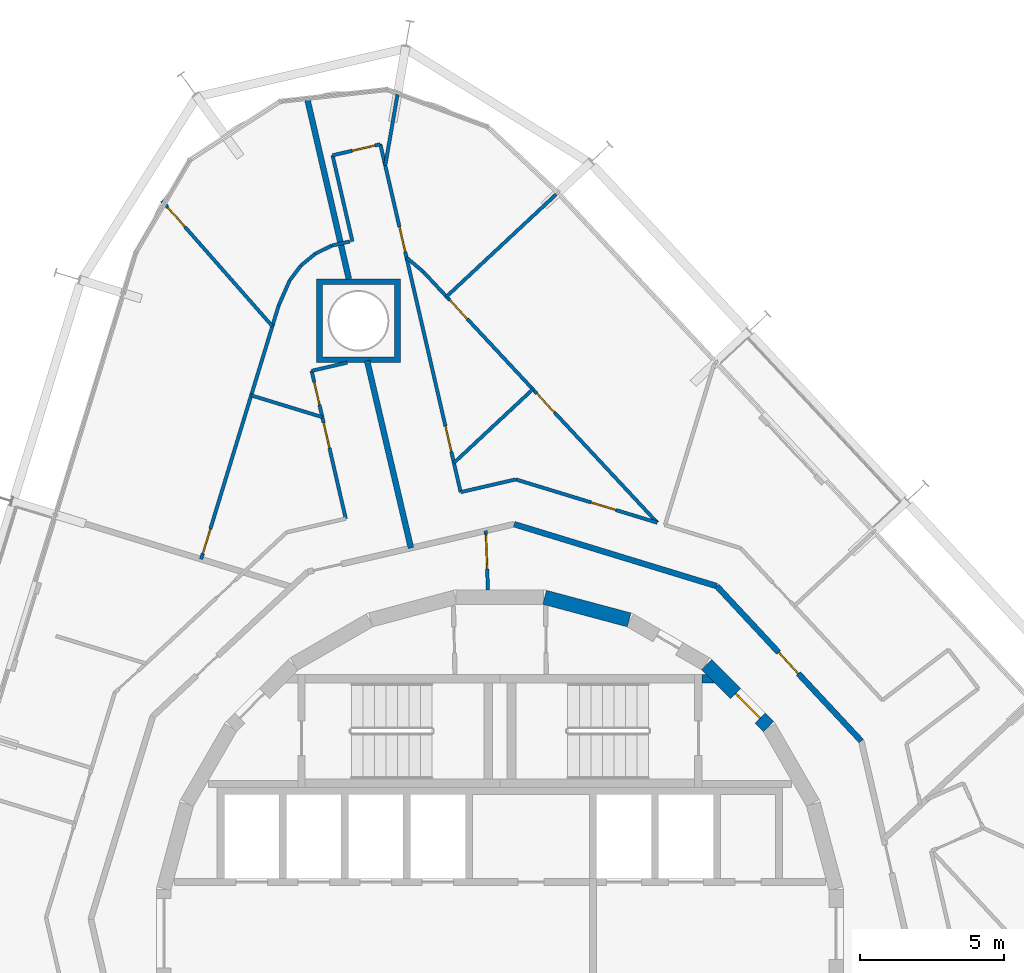
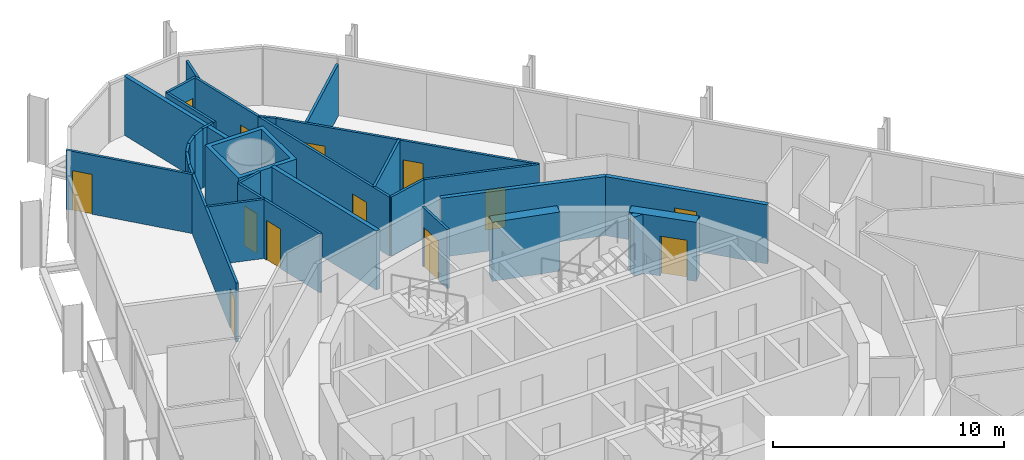
# One storey, part 16 of 18: 30 walls, 13 doors, 13 openings.
"""IFC4 building model written with IfcOpenShell, lengths in metres."""

from ifc_helpers import new_model, si_unit, direction, frame, frame_2d, origin, place, context, subcontext, project, spatial, polyline, rectangle, outline, extrude, material, layer, layer_set, type_object, element, fill, save


model = new_model("IFC4")

# Units and contexts
model_context = context("Model", 3, precision=1e-05, world=origin(), true_north=direction((0.0, 1.0)))
body_context = subcontext(model_context, "Body", "Model", "MODEL_VIEW")
ifc_project = project(units=[si_unit("LENGTHUNIT", "METRE"), si_unit("AREAUNIT", "SQUARE_METRE"), si_unit("VOLUMEUNIT", "CUBIC_METRE"), si_unit("PLANEANGLEUNIT", "RADIAN"), si_unit("MASSUNIT", "GRAM", prefix="KILO")], contexts=[model_context])

# Site, building, storey
site_placement = place(None, origin())
site = spatial("IfcSite", under=ifc_project, at=site_placement, CompositionType="ELEMENT")
building_placement = place(site_placement, origin())
building = spatial("IfcBuilding", under=site, at=building_placement, Name="Spindle Arch Residences", CompositionType="ELEMENT")
storey_placement = place(building_placement, frame((0.0, 0.0, 130.89990234375)))
storey = spatial("IfcBuildingStorey", under=building, at=storey_placement, Name="L32", CompositionType="ELEMENT", Elevation=130.89990234375)

# Wall, opening, door
ifc_material_1 = material(Name="Concrete C50/60", Category="concrete")
ifc_layer_1 = layer(ifc_material_1, 0.5)
ifc_layer_set_1 = layer_set([ifc_layer_1], Name="Core outline wall 500")
wall_type_1 = type_object("IfcWallType", Name="Core outline wall 500", PredefinedType="SHEAR", material=ifc_layer_set_1)
wall_1_placement = place(storey_placement, frame((9.30810546875, 7.163818359375, 0.0), z_axis=(0.0, 0.0, 1.0), x_axis=(-0.707106781187, 0.707106781187, 0.0)))
wall_1 = element("IfcWall", 1, at=wall_1_placement, inside=storey, type_object=wall_type_1, Name="Core outline wall 9", PredefinedType="SHEAR", context=body_context, shape_type="SweptSolid", body=[
    extrude(rectangle(XDim=3.032470703125, YDim=0.5, at=frame_2d((1.51611328125, 0.0))), origin(), (0.0, 0.0, 1.0), 3.1201171875),
])
opening_1_placement = place(wall_1_placement, frame((0.416259765625, 0.0, 0.0)))
opening_1 = element("IfcOpeningElement", 2, at=opening_1_placement, cuts=wall_1, Name="Opening R3B1-AD01", PredefinedType="OPENING", context=body_context, shape_type="SweptSolid", body=[
    extrude(rectangle(XDim=1.199951171875, YDim=2.10009765625, at=frame_2d((0.60009765625, 1.050048828125))), frame((0.0, 0.260009765625, 0.0), z_axis=(0.0, -1.0, 0.0), x_axis=(1.0, 0.0, 0.0)), (0.0, 0.0, 1.0), 0.52001953125),
])
ifc_material_2 = material(Name="Steel, fire-resisting door", Category="steel")
door_type_1 = type_object("IfcDoorType", Name="Stair airlock door 1200x2100", OperationType="SINGLE_SWING_LEFT", PredefinedType="DOOR", material=ifc_material_2)
door_1_placement = place(opening_1_placement, origin())
door_1 = element("IfcDoor", 3, at=door_1_placement, inside=storey, type_object=door_type_1, Name="Stair airlock door R3B1-AD01", OperationType="SINGLE_SWING_RIGHT", OverallHeight=2.10009765625, OverallWidth=1.199951171875, PredefinedType="DOOR", context=body_context, shape_type="SweptSolid", body=[
    extrude(rectangle(XDim=1.199951171875, YDim=2.10009765625, at=frame_2d((0.60009765625, 1.050048828125))), frame((0.0, 0.02490234375, 0.0), z_axis=(0.0, -1.0, 0.0), x_axis=(1.0, 0.0, 0.0)), (0.0, 0.0, 1.0), 0.050048828125),
])
fill(opening_1, door_1)

# Wall
wall_2_placement = place(storey_placement, frame((4.479248046875, 10.858154296875, 0.0), z_axis=(0.0, 0.0, 1.0), x_axis=(-0.965948410781, 0.258734743916, 0.0)))
element("IfcWall", 4, at=wall_2_placement, inside=storey, type_object=wall_type_1, Name="Core outline wall 11", PredefinedType="SHEAR", context=body_context, shape_type="SweptSolid", body=[
    extrude(rectangle(XDim=3.03271484375, YDim=0.5, at=frame_2d((1.516357421875, 0.0))), origin(), (0.0, 0.0, 1.0), 3.1201171875),
])

# Wall, opening, door
ifc_material_3 = material(Name="Plasterboard on steel studs", Category="steel")
ifc_layer_2 = layer(ifc_material_3, 0.1201171875)
ifc_layer_set_2 = layer_set([ifc_layer_2], Name="Corridor division wall 120")
wall_type_2 = type_object("IfcWallType", Name="Corridor division wall 120", PredefinedType="PARTITIONING", material=ifc_layer_set_2)
wall_3_placement = place(storey_placement, frame((-0.487060546875, 13.947998046875, 0.0), z_axis=(0.0, 0.0, 1.0), x_axis=(0.034859752231, -0.999392214135, 0.0)))
wall_3 = element("IfcWall", 5, at=wall_3_placement, inside=storey, type_object=wall_type_2, Name="Corridor division wall R3B1-W001", PredefinedType="PARTITIONING", context=body_context, shape_type="SweptSolid", body=[
    extrude(rectangle(XDim=2.052001953125, YDim=0.1201171875, at=frame_2d((1.02587890625, 0.0))), origin(), (0.0, 0.0, 1.0), 3.1201171875),
])
opening_2_placement = place(wall_3_placement, frame((0.125, 0.0, 0.0)))
opening_2 = element("IfcOpeningElement", 6, at=opening_2_placement, cuts=wall_3, Name="Opening R3B1-CD01", PredefinedType="OPENING", context=body_context, shape_type="SweptSolid", body=[
    extrude(rectangle(XDim=1.199951171875, YDim=2.10009765625, at=frame_2d((0.60009765625, 1.050048828125))), frame((0.0, 0.070068359375, 0.0), z_axis=(0.0, -1.0, 0.0), x_axis=(1.0, 0.0, 0.0)), (0.0, 0.0, 1.0), 0.14013671875),
])
ifc_material_4 = material(Name="Steel, fire-resisting door", Category="steel")
door_type_2 = type_object("IfcDoorType", Name="Corridor division door 1200x2100", OperationType="NOTDEFINED", PredefinedType="DOOR", material=ifc_material_4)
door_2_placement = place(opening_2_placement, origin())
door_2 = element("IfcDoor", 7, at=door_2_placement, inside=storey, type_object=door_type_2, Name="Corridor division door R3B1-CD01", OperationType="DOUBLE_DOOR_SINGLE_SWING", OverallHeight=2.10009765625, OverallWidth=1.199951171875, PredefinedType="DOOR", context=body_context, shape_type="SweptSolid", body=[
    extrude(rectangle(XDim=1.199951171875, YDim=2.10009765625, at=frame_2d((0.60009765625, 1.050048828125))), frame((0.0, 0.02490234375, 0.0), z_axis=(0.0, -1.0, 0.0), x_axis=(1.0, 0.0, 0.0)), (0.0, 0.0, 1.0), 0.050048828125),
])
fill(opening_2, door_2)

ifc_material_5 = material(Name="Calcium silicate block, plastered")
ifc_layer_3 = layer(ifc_material_5, 0.199951171875)
ifc_layer_set_3 = layer_set([ifc_layer_3], Name="Corridor wall 200")
wall_type_3 = type_object("IfcWallType", Name="Corridor wall 200", PredefinedType="STANDARD", material=ifc_layer_set_3)
wall_4_placement = place(storey_placement, frame((12.523193359375, 6.65869140625, 0.0), z_axis=(0.0, 0.0, 1.0), x_axis=(-0.682001841105, 0.731350455479, 0.0)))
wall_4 = element("IfcWall", 8, at=wall_4_placement, inside=storey, type_object=wall_type_3, Name="Corridor wall R3B1-W005", PredefinedType="STANDARD", context=body_context, shape_type="SweptSolid", body=[
    extrude(rectangle(XDim=7.341796875, YDim=0.199951171875, at=frame_2d((3.6708984375, 0.0))), origin(), (0.0, 0.0, 1.0), 3.1201171875),
])
opening_3_placement = place(wall_4_placement, frame((3.199951171875, 0.0, 0.0)))
opening_3 = element("IfcOpeningElement", 9, at=opening_3_placement, cuts=wall_4, Name="Opening R3B1-FD01", PredefinedType="OPENING", context=body_context, shape_type="SweptSolid", body=[
    extrude(rectangle(XDim=1.0, YDim=2.10009765625, at=frame_2d((0.5, 1.050048828125))), frame((0.0, 0.10986328125, 0.0), z_axis=(0.0, -1.0, 0.0), x_axis=(1.0, 0.0, 0.0)), (0.0, 0.0, 1.0), 0.219970703125),
])
ifc_material_6 = material(Name="Timber, fire-resisting door set", Category="wood")
door_type_3 = type_object("IfcDoorType", Name="Flat entrance door 1000x2100", OperationType="NOTDEFINED", PredefinedType="DOOR", material=ifc_material_6)
door_3_placement = place(opening_3_placement, origin())
door_3 = element("IfcDoor", 10, at=door_3_placement, inside=storey, type_object=door_type_3, Name="Flat entrance door R3B1-FD01", OperationType="SINGLE_SWING_RIGHT", OverallHeight=2.10009765625, OverallWidth=1.0, PredefinedType="DOOR", context=body_context, shape_type="SweptSolid", body=[
    extrude(rectangle(XDim=1.0, YDim=2.10009765625, at=frame_2d((0.5, 1.050048828125))), frame((0.0, 0.02490234375, 0.0), z_axis=(0.0, -1.0, 0.0), x_axis=(1.0, 0.0, 0.0)), (0.0, 0.0, 1.0), 0.050048828125),
])
fill(opening_3, door_3)

# Wall
wall_5_placement = place(storey_placement, frame((7.51611328125, 12.028076171875, 0.0), z_axis=(0.0, 0.0, 1.0), x_axis=(-0.956306642771, 0.292365533182, 0.0)))
element("IfcWall", 11, at=wall_5_placement, inside=storey, type_object=wall_type_3, Name="Corridor wall R3B1-W006", PredefinedType="STANDARD", context=body_context, shape_type="SweptSolid", body=[
    extrude(rectangle(XDim=7.341796875, YDim=0.199951171875, at=frame_2d((3.6708984375, 0.0))), origin(), (0.0, 0.0, 1.0), 3.1201171875),
])

# Wall, opening, door
ifc_material_7 = material(Name="Plasterboard on steel studs", Category="steel")
ifc_layer_4 = layer(ifc_material_7, 0.1201171875)
ifc_layer_set_4 = layer_set([ifc_layer_4], Name="Flat partition 120")
wall_type_4 = type_object("IfcWallType", Name="Flat partition 120", PredefinedType="PARTITIONING", material=ifc_layer_set_4)
wall_6_placement = place(storey_placement, frame((5.45263671875, 14.2275390625, 0.0), z_axis=(0.0, 0.0, 1.0), x_axis=(-0.95630868333, 0.292358858576, 0.0)))
wall_6 = element("IfcWall", 12, at=wall_6_placement, inside=storey, type_object=wall_type_4, Name="Flat partition R3B1-W033", PredefinedType="PARTITIONING", context=body_context, shape_type="SweptSolid", body=[
    extrude(rectangle(XDim=5.12744140625, YDim=0.1201171875, at=frame_2d((2.563720703125, 0.0))), origin(), (0.0, 0.0, 1.0), 3.1201171875),
])
opening_4_placement = place(wall_6_placement, frame((1.5, 0.0, 0.0)))
opening_4 = element("IfcOpeningElement", 13, at=opening_4_placement, cuts=wall_6, Name="Opening R3B1-ID03", PredefinedType="OPENING", context=body_context, shape_type="SweptSolid", body=[
    extrude(rectangle(XDim=0.89990234375, YDim=2.10009765625, at=frame_2d((0.449951171875, 1.050048828125))), frame((0.0, 0.070068359375, 0.0), z_axis=(0.0, -1.0, 0.0), x_axis=(1.0, 0.0, 0.0)), (0.0, 0.0, 1.0), 0.14013671875),
])
ifc_material_8 = material(Name="Timber door set", Category="wood")
door_type_4 = type_object("IfcDoorType", Name="Room door 900x2100", OperationType="NOTDEFINED", PredefinedType="DOOR", material=ifc_material_8)
door_4_placement = place(opening_4_placement, origin())
door_4 = element("IfcDoor", 14, at=door_4_placement, inside=storey, type_object=door_type_4, Name="Room door R3B1-ID03", OperationType="SINGLE_SWING_RIGHT", OverallHeight=2.10009765625, OverallWidth=0.89990234375, PredefinedType="DOOR", context=body_context, shape_type="SweptSolid", body=[
    extrude(rectangle(XDim=0.89990234375, YDim=2.10009765625, at=frame_2d((0.449951171875, 1.050048828125))), frame((0.0, 0.02490234375, 0.0), z_axis=(0.0, -1.0, 0.0), x_axis=(1.0, 0.0, 0.0)), (0.0, 0.0, 1.0), 0.050048828125),
])
fill(opening_4, door_4)

# Wall
wall_7_placement = place(storey_placement, frame((0.54931640625, 15.7265625, 0.0), z_axis=(0.0, 0.0, 1.0), x_axis=(-0.974374390785, -0.22493231556, 0.0)))
element("IfcWall", 15, at=wall_7_placement, inside=storey, type_object=wall_type_4, Name="Flat partition R3B1-W034", PredefinedType="PARTITIONING", context=body_context, shape_type="SweptSolid", body=[
    extrude(rectangle(XDim=1.959228515625, YDim=0.1201171875, at=frame_2d((0.9794921875, 0.0))), origin(), (0.0, 0.0, 1.0), 3.1201171875),
])

# Wall, opening, door
wall_8_placement = place(storey_placement, frame((-1.359619140625, 15.285888671875, 0.0), z_axis=(0.0, 0.0, 1.0), x_axis=(-0.224974943676, 0.97436454919, 0.0)))
wall_8 = element("IfcWall", 16, at=wall_8_placement, inside=storey, type_object=wall_type_4, Name="Flat partition R3B1-W035", PredefinedType="PARTITIONING", context=body_context, shape_type="SweptSolid", body=[
    extrude(rectangle(XDim=8.3408203125, YDim=0.1201171875, at=frame_2d((4.17041015625, 0.0))), origin(), (0.0, 0.0, 1.0), 3.1201171875),
])
opening_5_placement = place(wall_8_placement, frame((1.441162109375, 0.0, 0.0)))
opening_5 = element("IfcOpeningElement", 17, at=opening_5_placement, cuts=wall_8, Name="Opening R3B1-ID05", PredefinedType="OPENING", context=body_context, shape_type="SweptSolid", body=[
    extrude(rectangle(XDim=0.89990234375, YDim=2.10009765625, at=frame_2d((0.449951171875, 1.050048828125))), frame((0.0, 0.070068359375, 0.0), z_axis=(0.0, -1.0, 0.0), x_axis=(1.0, 0.0, 0.0)), (0.0, 0.0, 1.0), 0.14013671875),
])
door_5_placement = place(opening_5_placement, origin())
door_5 = element("IfcDoor", 18, at=door_5_placement, inside=storey, type_object=door_type_4, Name="Room door R3B1-ID05", OperationType="SINGLE_SWING_RIGHT", OverallHeight=2.10009765625, OverallWidth=0.89990234375, PredefinedType="DOOR", context=body_context, shape_type="SweptSolid", body=[
    extrude(rectangle(XDim=0.89990234375, YDim=2.10009765625, at=frame_2d((0.449951171875, 1.050048828125))), frame((0.0, 0.02490234375, 0.0), z_axis=(0.0, -1.0, 0.0), x_axis=(1.0, 0.0, 0.0)), (0.0, 0.0, 1.0), 0.050048828125),
])
fill(opening_5, door_5)

wall_9_placement = place(storey_placement, frame((-3.236083984375, 23.412841796875, 0.0), z_axis=(0.0, 0.0, 1.0), x_axis=(-0.224934720918, 0.97437383551, 0.0)))
wall_9 = element("IfcWall", 19, at=wall_9_placement, inside=storey, type_object=wall_type_4, Name="Flat partition R3B1-W036", PredefinedType="PARTITIONING", context=body_context, shape_type="SweptSolid", body=[
    extrude(rectangle(XDim=4.030029296875, YDim=0.1201171875, at=frame_2d((2.01513671875, 0.0))), origin(), (0.0, 0.0, 1.0), 3.1201171875),
])
opening_6_placement = place(wall_9_placement, frame((0.199951171875, 0.0, 0.0)))
opening_6 = element("IfcOpeningElement", 20, at=opening_6_placement, cuts=wall_9, Name="Opening R3B1-ID04", PredefinedType="OPENING", context=body_context, shape_type="SweptSolid", body=[
    extrude(rectangle(XDim=0.89990234375, YDim=2.10009765625, at=frame_2d((0.449951171875, 1.050048828125))), frame((0.0, 0.070068359375, 0.0), z_axis=(0.0, -1.0, 0.0), x_axis=(1.0, 0.0, 0.0)), (0.0, 0.0, 1.0), 0.14013671875),
])
door_6_placement = place(opening_6_placement, origin())
door_6 = element("IfcDoor", 21, at=door_6_placement, inside=storey, type_object=door_type_4, Name="Room door R3B1-ID04", OperationType="SINGLE_SWING_LEFT", OverallHeight=2.10009765625, OverallWidth=0.89990234375, PredefinedType="DOOR", context=body_context, shape_type="SweptSolid", body=[
    extrude(rectangle(XDim=0.89990234375, YDim=2.10009765625, at=frame_2d((0.449951171875, 1.050048828125))), frame((0.0, 0.02490234375, 0.0), z_axis=(0.0, -1.0, 0.0), x_axis=(1.0, 0.0, 0.0)), (0.0, 0.0, 1.0), 0.050048828125),
])
fill(opening_6, door_6)

wall_10_placement = place(storey_placement, frame((-4.142578125, 27.339599609375, 0.0), z_axis=(0.0, 0.0, 1.0), x_axis=(-0.974345183359, -0.22505880046, 0.0)))
wall_10 = element("IfcWall", 22, at=wall_10_placement, inside=storey, type_object=wall_type_4, Name="Flat partition R3B1-W037", PredefinedType="PARTITIONING", context=body_context, shape_type="SweptSolid", body=[
    extrude(rectangle(XDim=1.699951171875, YDim=0.1201171875, at=frame_2d((0.85009765625, 0.0))), origin(), (0.0, 0.0, 1.0), 3.1201171875),
])
opening_7_placement = place(wall_10_placement, frame((0.199951171875, 0.0, 0.0)))
opening_7 = element("IfcOpeningElement", 23, at=opening_7_placement, cuts=wall_10, Name="Opening R3B1-BD01", PredefinedType="OPENING", context=body_context, shape_type="SweptSolid", body=[
    extrude(rectangle(XDim=0.800048828125, YDim=2.10009765625, at=frame_2d((0.39990234375, 1.050048828125))), frame((0.0, 0.070068359375, 0.0), z_axis=(0.0, -1.0, 0.0), x_axis=(1.0, 0.0, 0.0)), (0.0, 0.0, 1.0), 0.14013671875),
])
ifc_material_9 = material(Name="Timber door set", Category="wood")
door_type_5 = type_object("IfcDoorType", Name="Bathroom door 800x2100", OperationType="NOTDEFINED", PredefinedType="DOOR", material=ifc_material_9)
door_7_placement = place(opening_7_placement, origin())
door_7 = element("IfcDoor", 24, at=door_7_placement, inside=storey, type_object=door_type_5, Name="Bathroom door R3B1-BD01", OperationType="SINGLE_SWING_RIGHT", OverallHeight=2.10009765625, OverallWidth=0.800048828125, PredefinedType="DOOR", context=body_context, shape_type="SweptSolid", body=[
    extrude(rectangle(XDim=0.800048828125, YDim=2.10009765625, at=frame_2d((0.39990234375, 1.050048828125))), frame((0.0, 0.02490234375, 0.0), z_axis=(0.0, -1.0, 0.0), x_axis=(1.0, 0.0, 0.0)), (0.0, 0.0, 1.0), 0.050048828125),
])
fill(opening_7, door_7)

# Walls
wall_11_placement = place(storey_placement, frame((-5.798828125, 26.95703125, 0.0), z_axis=(0.0, 0.0, 1.0), x_axis=(0.224876960008, -0.974387167843, 0.0)))
element("IfcWall", 25, at=wall_11_placement, inside=storey, type_object=wall_type_4, Name="Flat partition R3B1-W038", PredefinedType="PARTITIONING", context=body_context, shape_type="SweptSolid", body=[
    extrude(rectangle(XDim=3.06494140625, YDim=0.1201171875, at=frame_2d((1.532470703125, 0.0))), origin(), (0.0, 0.0, 1.0), 3.1201171875),
])
wall_12_placement = place(storey_placement, frame((-5.204833984375, 23.97119140625, 0.0), z_axis=(0.0, 0.0, 1.0), x_axis=(-0.974410422398, -0.224776174722, 0.0)))
element("IfcWall", 26, at=wall_12_placement, inside=storey, type_object=wall_type_4, Name="Flat partition R3B1-W039", PredefinedType="PARTITIONING", context=body_context, shape_type="SweptSolid", body=[
    extrude(rectangle(XDim=0.641845703125, YDim=0.1201171875, at=frame_2d((0.32080078125, 0.0))), origin(), (0.0, 0.0, 1.0), 3.1201171875),
])

# Wall, openings, doors
wall_13_placement = place(storey_placement, frame((-2.6455078125, 22.91162109375, 0.0), z_axis=(0.0, 0.0, 1.0), x_axis=(0.68200318122, -0.731349205788, 0.0)))
wall_13 = element("IfcWall", 27, at=wall_13_placement, inside=storey, type_object=wall_type_4, Name="Flat partition R3B1-W042", PredefinedType="PARTITIONING", context=body_context, shape_type="SweptSolid", body=[
    extrude(rectangle(XDim=11.8740234375, YDim=0.1201171875, at=frame_2d((5.93701171875, 0.0))), origin(), (0.0, 0.0, 1.0), 3.1201171875),
])
opening_8_placement = place(wall_13_placement, frame((5.752197265625, 0.0, 0.0)))
opening_8 = element("IfcOpeningElement", 28, at=opening_8_placement, cuts=wall_13, Name="Opening R3B1-ID06", PredefinedType="OPENING", context=body_context, shape_type="SweptSolid", body=[
    extrude(rectangle(XDim=0.89990234375, YDim=2.10009765625, at=frame_2d((0.449951171875, 1.050048828125))), frame((0.0, 0.070068359375, 0.0), z_axis=(0.0, -1.0, 0.0), x_axis=(1.0, 0.0, 0.0)), (0.0, 0.0, 1.0), 0.14013671875),
])
opening_9_placement = place(wall_13_placement, frame((1.32421875, 0.0, 0.0)))
opening_9 = element("IfcOpeningElement", 29, at=opening_9_placement, cuts=wall_13, Name="Opening R3B1-ID07", PredefinedType="OPENING", context=body_context, shape_type="SweptSolid", body=[
    extrude(rectangle(XDim=0.89990234375, YDim=2.10009765625, at=frame_2d((0.449951171875, 1.050048828125))), frame((0.0, 0.070068359375, 0.0), z_axis=(0.0, -1.0, 0.0), x_axis=(1.0, 0.0, 0.0)), (0.0, 0.0, 1.0), 0.14013671875),
])
door_8_placement = place(opening_8_placement, origin())
door_8 = element("IfcDoor", 30, at=door_8_placement, inside=storey, type_object=door_type_4, Name="Room door R3B1-ID06", OperationType="SINGLE_SWING_RIGHT", OverallHeight=2.10009765625, OverallWidth=0.89990234375, PredefinedType="DOOR", context=body_context, shape_type="SweptSolid", body=[
    extrude(rectangle(XDim=0.89990234375, YDim=2.10009765625, at=frame_2d((0.449951171875, 1.050048828125))), frame((0.0, 0.02490234375, 0.0), z_axis=(0.0, -1.0, 0.0), x_axis=(1.0, 0.0, 0.0)), (0.0, 0.0, 1.0), 0.050048828125),
])
fill(opening_8, door_8)
door_9_placement = place(opening_9_placement, origin())
door_9 = element("IfcDoor", 31, at=door_9_placement, inside=storey, type_object=door_type_4, Name="Room door R3B1-ID07", OperationType="SINGLE_SWING_LEFT", OverallHeight=2.10009765625, OverallWidth=0.89990234375, PredefinedType="DOOR", context=body_context, shape_type="SweptSolid", body=[
    extrude(rectangle(XDim=0.89990234375, YDim=2.10009765625, at=frame_2d((0.449951171875, 1.050048828125))), frame((0.0, 0.02490234375, 0.0), z_axis=(0.0, -1.0, 0.0), x_axis=(1.0, 0.0, 0.0)), (0.0, 0.0, 1.0), 0.050048828125),
])
fill(opening_9, door_9)

# Walls
wall_14_placement = place(storey_placement, frame((1.14111328125, 18.850830078125, 0.0), z_axis=(0.0, 0.0, 1.0), x_axis=(-0.731352611136, -0.68199952946, 0.0)))
element("IfcWall", 32, at=wall_14_placement, inside=storey, type_object=wall_type_4, Name="Flat partition R3B1-W044", PredefinedType="PARTITIONING", context=body_context, shape_type="SweptSolid", body=[
    extrude(rectangle(XDim=3.73974609375, YDim=0.1201171875, at=frame_2d((1.869873046875, 0.0))), origin(), (0.0, 0.0, 1.0), 3.1201171875),
])
wall_15_placement = place(storey_placement, frame((-3.236083984375, 23.412841796875, 0.0), z_axis=(0.0, 0.0, 1.0), x_axis=(0.762429029489, -0.647071846855, 0.0)))
element("IfcWall", 33, at=wall_15_placement, inside=storey, type_object=wall_type_4, Name="Flat partition R3B1-W045", PredefinedType="PARTITIONING", context=body_context, shape_type="SweptSolid", body=[
    extrude(rectangle(XDim=0.774658203125, YDim=0.1201171875, at=frame_2d((0.38720703125, 0.0))), origin(), (0.0, 0.0, 1.0), 3.1201171875),
])
wall_16_placement = place(storey_placement, frame((-5.292724609375, 19.7734375, 0.0), z_axis=(0.0, 0.0, 1.0), x_axis=(-0.974391195695, -0.224859506699, 0.0)))
element("IfcWall", 34, at=wall_16_placement, inside=storey, type_object=wall_type_4, Name="Flat partition R3B1-W047", PredefinedType="PARTITIONING", context=body_context, shape_type="SweptSolid", body=[
    extrude(rectangle(XDim=1.263916015625, YDim=0.1201171875, at=frame_2d((0.6318359375, 0.0))), origin(), (0.0, 0.0, 1.0), 3.1201171875),
])

# Wall, openings, doors
wall_17_placement = place(storey_placement, frame((-6.524169921875, 19.4892578125, 0.0), z_axis=(0.0, 0.0, 1.0), x_axis=(0.22494768659, -0.974370842286, 0.0)))
wall_17 = element("IfcWall", 35, at=wall_17_placement, inside=storey, type_object=wall_type_4, Name="Flat partition R3B1-W048", PredefinedType="PARTITIONING", context=body_context, shape_type="SweptSolid", body=[
    extrude(rectangle(XDim=5.25732421875, YDim=0.1201171875, at=frame_2d((2.628662109375, 0.0))), origin(), (0.0, 0.0, 1.0), 3.1201171875),
])
opening_10_placement = place(wall_17_placement, frame((0.39990234375, 0.0, 0.0)))
opening_10 = element("IfcOpeningElement", 36, at=opening_10_placement, cuts=wall_17, Name="Opening R3B1-BD02", PredefinedType="OPENING", context=body_context, shape_type="SweptSolid", body=[
    extrude(rectangle(XDim=0.800048828125, YDim=2.10009765625, at=frame_2d((0.39990234375, 1.050048828125))), frame((0.0, 0.070068359375, 0.0), z_axis=(0.0, -1.0, 0.0), x_axis=(1.0, 0.0, 0.0)), (0.0, 0.0, 1.0), 0.14013671875),
])
opening_11_placement = place(wall_17_placement, frame((1.84619140625, 0.0, 0.0)))
opening_11 = element("IfcOpeningElement", 37, at=opening_11_placement, cuts=wall_17, Name="Opening R3B1-ID08", PredefinedType="OPENING", context=body_context, shape_type="SweptSolid", body=[
    extrude(rectangle(XDim=0.89990234375, YDim=2.10009765625, at=frame_2d((0.449951171875, 1.050048828125))), frame((0.0, 0.070068359375, 0.0), z_axis=(0.0, -1.0, 0.0), x_axis=(1.0, 0.0, 0.0)), (0.0, 0.0, 1.0), 0.14013671875),
])
door_10_placement = place(opening_10_placement, origin())
door_10 = element("IfcDoor", 38, at=door_10_placement, inside=storey, type_object=door_type_5, Name="Bathroom door R3B1-BD02", OperationType="SINGLE_SWING_LEFT", OverallHeight=2.10009765625, OverallWidth=0.800048828125, PredefinedType="DOOR", context=body_context, shape_type="SweptSolid", body=[
    extrude(rectangle(XDim=0.800048828125, YDim=2.10009765625, at=frame_2d((0.39990234375, 1.050048828125))), frame((0.0, 0.02490234375, 0.0), z_axis=(0.0, -1.0, 0.0), x_axis=(1.0, 0.0, 0.0)), (0.0, 0.0, 1.0), 0.050048828125),
])
fill(opening_10, door_10)
door_11_placement = place(opening_11_placement, origin())
door_11 = element("IfcDoor", 39, at=door_11_placement, inside=storey, type_object=door_type_4, Name="Room door R3B1-ID08", OperationType="SINGLE_SWING_LEFT", OverallHeight=2.10009765625, OverallWidth=0.89990234375, PredefinedType="DOOR", context=body_context, shape_type="SweptSolid", body=[
    extrude(rectangle(XDim=0.89990234375, YDim=2.10009765625, at=frame_2d((0.449951171875, 1.050048828125))), frame((0.0, 0.02490234375, 0.0), z_axis=(0.0, -1.0, 0.0), x_axis=(1.0, 0.0, 0.0)), (0.0, 0.0, 1.0), 0.050048828125),
])
fill(opening_11, door_11)

# Wall, opening, door
wall_18_placement = place(storey_placement, frame((-10.35400390625, 12.9609375, 0.0), z_axis=(0.0, 0.0, 1.0), x_axis=(0.292379778045, 0.956302287663, 0.0)))
wall_18 = element("IfcWall", 40, at=wall_18_placement, inside=storey, type_object=wall_type_4, Name="Flat partition R3B1-W051", PredefinedType="PARTITIONING", context=body_context, shape_type="SweptSolid", body=[
    extrude(rectangle(XDim=9.193603515625, YDim=0.1201171875, at=frame_2d((4.5966796875, 0.0))), origin(), (0.0, 0.0, 1.0), 3.1201171875),
])
opening_12_placement = place(wall_18_placement, frame((0.199951171875, 0.0, 0.0)))
opening_12 = element("IfcOpeningElement", 41, at=opening_12_placement, cuts=wall_18, Name="Opening R3B1-ID09", PredefinedType="OPENING", context=body_context, shape_type="SweptSolid", body=[
    extrude(rectangle(XDim=0.89990234375, YDim=2.10009765625, at=frame_2d((0.449951171875, 1.050048828125))), frame((0.0, 0.070068359375, 0.0), z_axis=(0.0, -1.0, 0.0), x_axis=(1.0, 0.0, 0.0)), (0.0, 0.0, 1.0), 0.14013671875),
])
door_12_placement = place(opening_12_placement, origin())
door_12 = element("IfcDoor", 42, at=door_12_placement, inside=storey, type_object=door_type_4, Name="Room door R3B1-ID09", OperationType="SINGLE_SWING_LEFT", OverallHeight=2.10009765625, OverallWidth=0.89990234375, PredefinedType="DOOR", context=body_context, shape_type="SweptSolid", body=[
    extrude(rectangle(XDim=0.89990234375, YDim=2.10009765625, at=frame_2d((0.449951171875, 1.050048828125))), frame((0.0, 0.02490234375, 0.0), z_axis=(0.0, -1.0, 0.0), x_axis=(1.0, 0.0, 0.0)), (0.0, 0.0, 1.0), 0.050048828125),
])
fill(opening_12, door_12)

# Walls
wall_19_placement = place(storey_placement, frame((-7.666015625, 21.752685546875, 0.0), z_axis=(0.0, 0.0, 1.0), x_axis=(0.401562829944, 0.915831476642, 0.0)))
element("IfcWall", 43, at=wall_19_placement, inside=storey, type_object=wall_type_4, Name="Flat partition R3B1-W052", PredefinedType="PARTITIONING", context=body_context, shape_type="SweptSolid", body=[
    extrude(rectangle(XDim=0.946533203125, YDim=0.1201171875, at=frame_2d((0.47314453125, 0.0))), origin(), (0.0, 0.0, 1.0), 3.1201171875),
])
wall_20_placement = place(storey_placement, frame((-7.285888671875, 22.61962890625, 0.0), z_axis=(0.0, 0.0, 1.0), x_axis=(0.601702575527, 0.798720233, 0.0)))
element("IfcWall", 44, at=wall_20_placement, inside=storey, type_object=wall_type_4, Name="Flat partition R3B1-W053", PredefinedType="PARTITIONING", context=body_context, shape_type="SweptSolid", body=[
    extrude(rectangle(XDim=0.641845703125, YDim=0.1201171875, at=frame_2d((0.32080078125, 0.0))), origin(), (0.0, 0.0, 1.0), 3.1201171875),
])
wall_21_placement = place(storey_placement, frame((-6.899658203125, 23.13232421875, 0.0), z_axis=(0.0, 0.0, 1.0), x_axis=(0.769653132962, 0.638462258025, 0.0)))
element("IfcWall", 45, at=wall_21_placement, inside=storey, type_object=wall_type_4, Name="Flat partition R3B1-W054", PredefinedType="PARTITIONING", context=body_context, shape_type="SweptSolid", body=[
    extrude(rectangle(XDim=0.64208984375, YDim=0.1201171875, at=frame_2d((0.321044921875, 0.0))), origin(), (0.0, 0.0, 1.0), 3.1201171875),
])
wall_22_placement = place(storey_placement, frame((-6.405517578125, 23.542236328125, 0.0), z_axis=(0.0, 0.0, 1.0), x_axis=(0.896245703043, 0.44355793283, 0.0)))
element("IfcWall", 46, at=wall_22_placement, inside=storey, type_object=wall_type_4, Name="Flat partition R3B1-W055", PredefinedType="PARTITIONING", context=body_context, shape_type="SweptSolid", body=[
    extrude(rectangle(XDim=0.641845703125, YDim=0.1201171875, at=frame_2d((0.32080078125, 0.0))), origin(), (0.0, 0.0, 1.0), 3.1201171875),
])

# Wall, opening, door
wall_23_placement = place(storey_placement, frame((-11.71337890625, 25.385009765625, 0.0), z_axis=(0.0, 0.0, 1.0), x_axis=(0.660694383024, -0.750655002142, 0.0)))
wall_23 = element("IfcWall", 47, at=wall_23_placement, inside=storey, type_object=wall_type_4, Name="Flat partition R3B1-W056", PredefinedType="PARTITIONING", context=body_context, shape_type="SweptSolid", body=[
    extrude(rectangle(XDim=5.794189453125, YDim=0.1201171875, at=frame_2d((2.89697265625, 0.0))), origin(), (0.0, 0.0, 1.0), 3.1201171875),
])
opening_13_placement = place(wall_23_placement, frame((0.300048828125, 0.0, 0.0)))
opening_13 = element("IfcOpeningElement", 48, at=opening_13_placement, cuts=wall_23, Name="Opening R3B1-ID10", PredefinedType="OPENING", context=body_context, shape_type="SweptSolid", body=[
    extrude(rectangle(XDim=0.89990234375, YDim=2.10009765625, at=frame_2d((0.449951171875, 1.050048828125))), frame((0.0, 0.070068359375, 0.0), z_axis=(0.0, -1.0, 0.0), x_axis=(1.0, 0.0, 0.0)), (0.0, 0.0, 1.0), 0.14013671875),
])
door_13_placement = place(opening_13_placement, origin())
door_13 = element("IfcDoor", 49, at=door_13_placement, inside=storey, type_object=door_type_4, Name="Room door R3B1-ID10", OperationType="SINGLE_SWING_LEFT", OverallHeight=2.10009765625, OverallWidth=0.89990234375, PredefinedType="DOOR", context=body_context, shape_type="SweptSolid", body=[
    extrude(rectangle(XDim=0.89990234375, YDim=2.10009765625, at=frame_2d((0.449951171875, 1.050048828125))), frame((0.0, 0.02490234375, 0.0), z_axis=(0.0, -1.0, 0.0), x_axis=(1.0, 0.0, 0.0)), (0.0, 0.0, 1.0), 0.050048828125),
])
fill(opening_13, door_13)

# Walls
wall_24_placement = place(storey_placement, frame((-8.6181640625, 18.638671875, 0.0), z_axis=(0.0, 0.0, 1.0), x_axis=(0.956305961168, -0.292367762647, 0.0)))
element("IfcWall", 50, at=wall_24_placement, inside=storey, type_object=wall_type_4, Name="Flat partition R3B1-W057", PredefinedType="PARTITIONING", context=body_context, shape_type="SweptSolid", body=[
    extrude(rectangle(XDim=2.576904296875, YDim=0.1201171875, at=frame_2d((1.28857421875, 0.0))), origin(), (0.0, 0.0, 1.0), 3.1201171875),
])
ifc_material_10 = material(Name="Plasterboard on steel studs", Category="steel")
ifc_layer_5 = layer(ifc_material_10, 0.1201171875)
ifc_layer_set_5 = layer_set([ifc_layer_5], Name="Flat partition 120 under beam 2730")
wall_type_5 = type_object("IfcWallType", Name="Flat partition 120 under beam 2730", PredefinedType="PARTITIONING", material=ifc_layer_set_5)
wall_25_placement = place(storey_placement, frame((1.951416015625, 25.606689453125, 0.0), z_axis=(0.0, 0.0, 1.0), x_axis=(-0.73134872518, -0.682003696601, 0.0)))
element("IfcWall", 51, at=wall_25_placement, inside=storey, type_object=wall_type_5, Name="Flat partition R3B1-W043", PredefinedType="PARTITIONING", context=body_context, shape_type="SweptSolid", body=[
    extrude(rectangle(XDim=5.199951171875, YDim=0.1201171875, at=frame_2d((2.60009765625, 0.0))), origin(), (0.0, 0.0, 1.0), 2.72998046875),
])
wall_26_placement = place(storey_placement, frame((-3.5478515625, 29.072265625, 0.0), z_axis=(0.0, 0.0, 1.0), x_axis=(-0.169756715849, -0.985486000623, 0.0)))
element("IfcWall", 52, at=wall_26_placement, inside=storey, type_object=wall_type_5, Name="Flat partition R3B1-W046", PredefinedType="PARTITIONING", context=body_context, shape_type="SweptSolid", body=[
    extrude(rectangle(XDim=2.50390625, YDim=0.1201171875, at=frame_2d((1.251953125, 0.0))), origin(), (0.0, 0.0, 1.0), 2.72998046875),
])
ifc_material_11 = material(Name="Calcium silicate block, plastered")
ifc_layer_6 = layer(ifc_material_11, 0.199951171875)
ifc_layer_set_6 = layer_set([ifc_layer_6], Name="Flat party wall 200")
wall_type_6 = type_object("IfcWallType", Name="Flat party wall 200", PredefinedType="STANDARD", material=ifc_layer_set_6)
wall_27_placement = place(storey_placement, frame((-4.601806640625, 19.8388671875, 0.0), z_axis=(0.0, 0.0, 1.0), x_axis=(0.227891855607, -0.973686449607, 0.0)))
element("IfcWall", 53, at=wall_27_placement, inside=storey, type_object=wall_type_6, Name="Flat party wall R3B1-W016", PredefinedType="STANDARD", context=body_context, shape_type="SweptSolid", body=[
    extrude(rectangle(XDim=6.66552734375, YDim=0.199951171875, at=frame_2d((3.332763671875, 0.0))), origin(), (0.0, 0.0, 1.0), 3.1201171875),
])
wall_28_placement = place(storey_placement, frame((-6.687255859375, 28.9658203125, 0.0), z_axis=(0.0, 0.0, 1.0), x_axis=(0.224945100086, -0.974371439415, 0.0)))
element("IfcWall", 54, at=wall_28_placement, inside=storey, type_object=wall_type_6, Name="Flat party wall R3B1-W017", PredefinedType="STANDARD", context=body_context, shape_type="SweptSolid", body=[
    extrude(rectangle(XDim=6.457763671875, YDim=0.199951171875, at=frame_2d((3.22900390625, 0.0))), origin(), (0.0, 0.0, 1.0), 3.1201171875),
])
ifc_material_12 = material(Name="Calcium silicate block, plastered")
ifc_layer_7 = layer(ifc_material_12, 0.199951171875)
ifc_layer_set_7 = layer_set([ifc_layer_7], Name="Mega-column casing wall 200")
wall_type_7 = type_object("IfcWallType", Name="Mega-column casing wall 200", PredefinedType="STANDARD", material=ifc_layer_set_7)
wall_29_placement = place(storey_placement, origin())
element("IfcWall", 55, at=wall_29_placement, inside=storey, type_object=wall_type_7, Name="Mega-column casing wall R3B1-WC01", PredefinedType="STANDARD", context=body_context, shape_type="SweptSolid", body=[
    extrude(outline(polyline([(-3.44970703125, 22.673583984375), (-3.44970703125, 19.7734375), (-6.349853515625, 19.7734375), (-6.349853515625, 22.673583984375), (-3.44970703125, 22.673583984375)]), holes=[polyline([(-6.14990234375, 19.973388671875), (-3.64990234375, 19.973388671875), (-3.64990234375, 22.473388671875), (-6.14990234375, 22.473388671875), (-6.14990234375, 19.973388671875)])]), origin(), (0.0, 0.0, 1.0), 3.1201171875),
])
ifc_material_13 = material(Name="Concrete C40/50", Category="concrete")
wall_type_8 = type_object("IfcWallType", Name="Stair airlock wall profile", PredefinedType="SHEAR", material=ifc_material_13)
wall_30_placement = place(storey_placement, origin())
element("IfcWall", 56, at=wall_30_placement, inside=storey, type_object=wall_type_8, Name="Stair ST-1 airlock wall N", PredefinedType="SHEAR", context=body_context, shape_type="SweptSolid", body=[
    extrude(outline(polyline([(7.4482421875, 8.669921875), (7.0, 8.669921875), (7.0, 8.969970703125), (7.148193359375, 8.969970703125), (7.4482421875, 8.669921875)])), origin(), (0.0, 0.0, 1.0), 3.1201171875),
])

save(model, "model.ifc")
